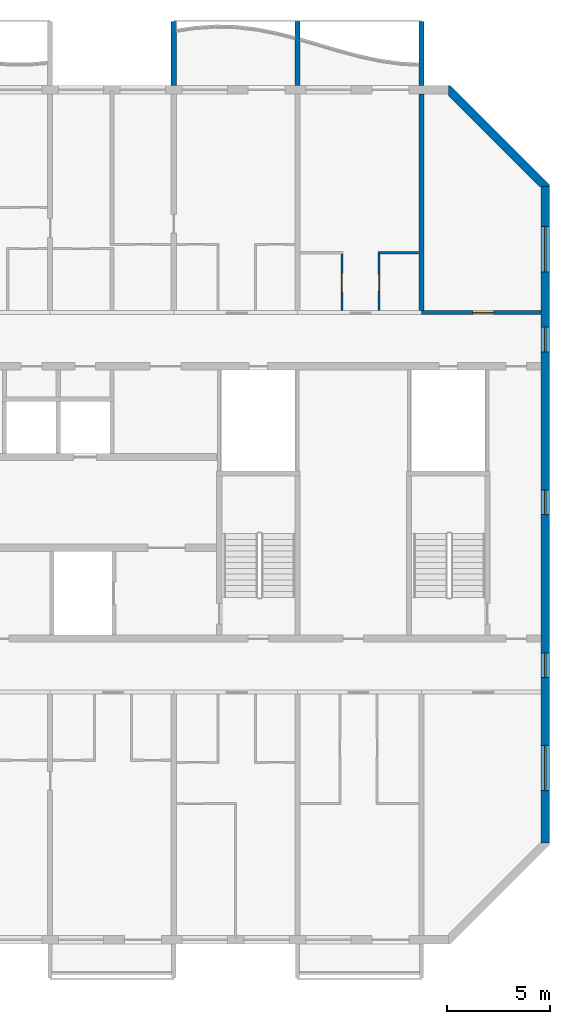
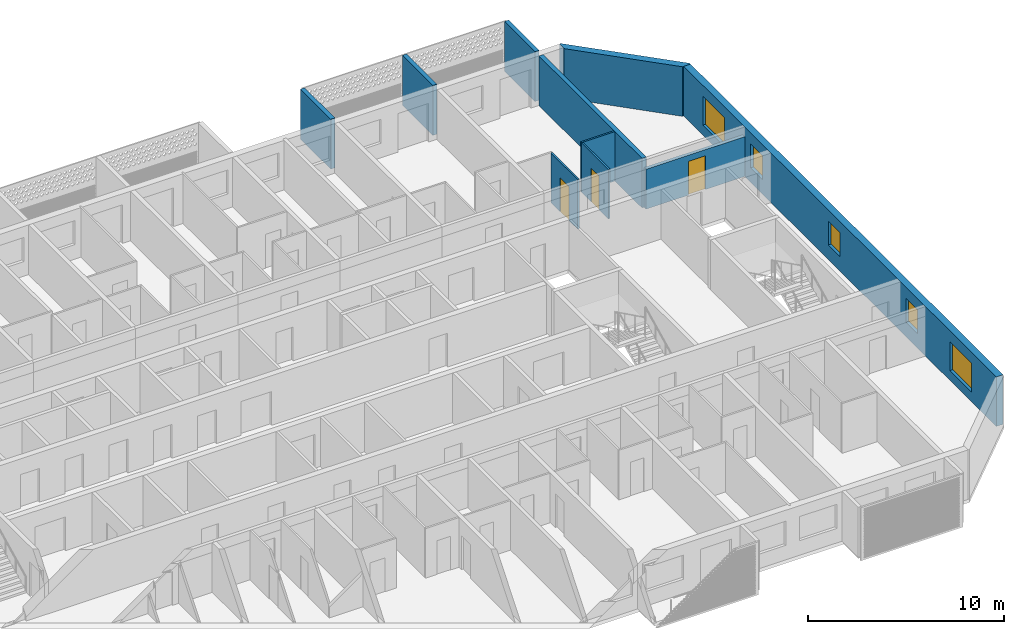
# One storey, part 11 of 27: 10 walls, 5 windows, 3 doors, 8 openings.
"""IFC4 building model written with IfcOpenShell, lengths in metres."""

import ifcopenshell
import ifcopenshell.guid

model = None  # the IFC model being written
_history = None  # IfcOwnerHistory: only IFC2X3 demands one
_inside = {}  # id of a spatial element -> (the spatial element, [elements in it])
_under = {}  # id of a project, library or spatial element -> (it, [spatial elements below it])
_declared = {}  # id of a project -> (the project, [libraries it declares])
_typed = {}  # id of a type object -> (the type object, [elements of that type])
_made_of = {}  # id of a material, layer set ... -> (it, [elements and type objects made of it])


def new_model(schema):
    """Start an empty IFC model of exactly this schema.

    Asked for "IFC4X3", IfcOpenShell would pick the latest addendum, in which some entities
    have other attributes; the version numbers below select the first issue.
    IFC2X3 requires an IfcOwnerHistory on every rooted entity: one is made here for all.
    """
    global model, _history
    if schema == "IFC4X3":
        model = ifcopenshell.file(schema_version=(4, 3, 0, 0))
    else:
        model = ifcopenshell.file(schema=schema)
    _inside.clear()
    _under.clear()
    _declared.clear()
    _typed.clear()
    _made_of.clear()
    _history = None
    if model.schema == "IFC2X3":
        org = make("IfcOrganization", Name="unknown")
        user = make(
            "IfcPersonAndOrganization",
            ThePerson=make("IfcPerson", FamilyName="unknown"),
            TheOrganization=org,
        )
        app = make(
            "IfcApplication",
            ApplicationDeveloper=org,
            Version="unknown",
            ApplicationFullName="unknown",
            ApplicationIdentifier="unknown",
        )
        _history = make(
            "IfcOwnerHistory",
            OwningUser=user,
            OwningApplication=app,
            ChangeAction="ADDED",
            CreationDate=0,
        )
    return model


def make(cls, **values):
    """One entity of the class cls with the attributes given. An attribute that is None is left unset."""
    return model.create_entity(
        cls, **{name: value for name, value in values.items() if value is not None}
    )


def rooted(cls, **values):
    """An entity with a GlobalId (a new one), such as an element, a storey or a relation."""
    return make(cls, GlobalId=ifcopenshell.guid.new(), OwnerHistory=_history, **values)


def si_unit(unit_type, name, prefix=None):
    """IfcSIUnit, for example si_unit("LENGTHUNIT", "METRE", prefix="MILLI")."""
    return make("IfcSIUnit", UnitType=unit_type, Prefix=prefix, Name=name)


def assignment(units):
    """IfcUnitAssignment: the units of a project."""
    return None if units is None else make("IfcUnitAssignment", Units=units)


def point(xyz):
    """IfcCartesianPoint."""
    return None if xyz is None else make("IfcCartesianPoint", Coordinates=xyz)


def direction(xyz):
    """IfcDirection."""
    return None if xyz is None else make("IfcDirection", DirectionRatios=xyz)


def frame(location, z_axis=None, x_axis=None):
    """IfcAxis2Placement3D, a coordinate frame: its origin and axes. An axis left out is left unset."""
    return make(
        "IfcAxis2Placement3D",
        Location=point(location),
        Axis=direction(z_axis),
        RefDirection=direction(x_axis),
    )


def frame_2d(location, x_axis=None):
    """IfcAxis2Placement2D, a coordinate frame in the plane: its origin and x axis."""
    return make(
        "IfcAxis2Placement2D", Location=point(location), RefDirection=direction(x_axis)
    )


def origin():
    """The frame at (0, 0, 0) with its axes left unset."""
    return frame((0.0, 0.0, 0.0))


def place(relative_to, where):
    """IfcLocalPlacement: puts the frame where relative to a parent placement (None: the world)."""
    return make(
        "IfcLocalPlacement", PlacementRelTo=relative_to, RelativePlacement=where
    )


def context(
    kind, dimensions, precision=None, world=None, true_north=None, identifier=None
):
    """IfcGeometricRepresentationContext, for example the 3D "Model" context."""
    return make(
        "IfcGeometricRepresentationContext",
        ContextIdentifier=identifier,
        ContextType=kind,
        CoordinateSpaceDimension=dimensions,
        Precision=precision,
        WorldCoordinateSystem=world,
        TrueNorth=true_north,
    )


def subcontext(parent, identifier, kind, view, scale=None):
    """IfcGeometricRepresentationSubContext, for example "Body" below "Model"."""
    return make(
        "IfcGeometricRepresentationSubContext",
        ContextIdentifier=identifier,
        ContextType=kind,
        ParentContext=parent,
        TargetScale=scale,
        TargetView=view,
    )


def project(units=None, contexts=None):
    """IfcProject with its units and contexts."""
    return rooted(
        "IfcProject",
        Name="project",
        RepresentationContexts=contexts,
        UnitsInContext=assignment(units),
    )


def spatial(cls, under=None, at=None, **own):
    """A site, building, storey or space (cls), placed at a placement, below another one or the project."""
    s = rooted(cls, ObjectPlacement=at, **own)
    if under is not None:
        _under.setdefault(under.id(), (under, []))[1].append(s)
    return s


def polyline(points):
    """IfcPolyline through the points."""
    return make("IfcPolyline", Points=[point(p) for p in points])


def profile(cls, at=None, kind="AREA", **sizes):
    """A parametric profile (cls). Its sizes go by their IFC names, for example OverallWidth=200.0."""
    return make(cls, ProfileType=kind, Position=at, **sizes)


def rectangle(**sizes):
    """IfcRectangleProfileDef."""
    return profile("IfcRectangleProfileDef", **sizes)


def outline(outer, holes=None, kind="AREA"):
    """IfcArbitraryClosedProfileDef: a profile drawn as a closed curve; with holes, ...WithVoids."""
    if holes is None:
        return make("IfcArbitraryClosedProfileDef", ProfileType=kind, OuterCurve=outer)
    return make(
        "IfcArbitraryProfileDefWithVoids",
        ProfileType=kind,
        OuterCurve=outer,
        InnerCurves=holes,
    )


def extrude(swept, where, along, depth):
    """IfcExtrudedAreaSolid: the profile swept, set in the frame where, extruded along a direction by depth."""
    return make(
        "IfcExtrudedAreaSolid",
        SweptArea=swept,
        Position=where,
        ExtrudedDirection=direction(along),
        Depth=depth,
    )


def shape(context_of_items, identifier, shape_type, items):
    """IfcShapeRepresentation: the items that make up one representation, for example the "Body"."""
    return make(
        "IfcShapeRepresentation",
        ContextOfItems=context_of_items,
        RepresentationIdentifier=identifier,
        RepresentationType=shape_type,
        Items=items,
    )


def source(mapping_origin, context_of_items, identifier, shape_type, items):
    """IfcRepresentationMap: a shape defined once, which mapped items show again and again."""
    return make(
        "IfcRepresentationMap",
        MappingOrigin=mapping_origin,
        MappedRepresentation=shape(context_of_items, identifier, shape_type, items),
    )


def transform(
    local_origin,
    x_axis=None,
    y_axis=None,
    z_axis=None,
    scale=None,
    scale2=None,
    scale3=None,
    uniform=True,
):
    """IfcCartesianTransformationOperator3D, or its non-uniform kind. x_axis, y_axis, z_axis: its Axis1, 2, 3."""
    if uniform:
        return make(
            "IfcCartesianTransformationOperator3D",
            Axis1=direction(x_axis),
            Axis2=direction(y_axis),
            LocalOrigin=point(local_origin),
            Scale=scale,
            Axis3=direction(z_axis),
        )
    return make(
        "IfcCartesianTransformationOperator3DnonUniform",
        Axis1=direction(x_axis),
        Axis2=direction(y_axis),
        LocalOrigin=point(local_origin),
        Scale=scale,
        Axis3=direction(z_axis),
        Scale2=scale2,
        Scale3=scale3,
    )


def mapped(mapping_source, mapping_target):
    """IfcMappedItem: shows the shape of a source again, moved by a transform."""
    return make(
        "IfcMappedItem", MappingSource=mapping_source, MappingTarget=mapping_target
    )


def material(Name=None, Category=None):
    """IfcMaterial."""
    return make("IfcMaterial", Name=Name, Category=Category)


def layer(
    of_material, thickness, ventilated=None, Name=None, Category=None, Priority=None
):
    """IfcMaterialLayer: one layer of a wall or slab, of a material (None: an air gap)."""
    return make(
        "IfcMaterialLayer",
        Material=of_material,
        LayerThickness=thickness,
        IsVentilated=ventilated,
        Name=Name,
        Category=Category,
        Priority=Priority,
    )


def layer_set(layers, Name=None):
    """IfcMaterialLayerSet."""
    return make("IfcMaterialLayerSet", MaterialLayers=layers, LayerSetName=Name)


def made_of(thing, what):
    """Note that an element or type object is made of a material, layer set ...; save() writes the relation."""
    if what is not None:
        _made_of.setdefault(what.id(), (what, []))[1].append(thing)
    return thing


def type_object(cls, material=None, **own):
    """A type object (cls), such as IfcWallType, which elements share."""
    return made_of(rooted(cls, **own), material)


def element(
    cls,
    number,
    at=None,
    inside=None,
    cuts=None,
    type_object=None,
    material=None,
    context=None,
    identifier="Body",
    shape_type=None,
    held_by="IfcProductDefinitionShape",
    body=None,
    shapes=None,
    **own,
):
    """One element of the class cls, such as IfcWall. Its Tag is "e" and its number.

    at: its placement. inside: the storey or other place that contains it. cuts: it is an
    opening in that element (IfcRelVoidsElement). A single representation is given by context,
    identifier, shape_type and body (its items); several are given by shapes. held_by: the class
    of the entity that holds the representations. save() writes the other relations.
    """
    e = rooted(cls, Tag="e%d" % number, ObjectPlacement=at, **own)
    if body is not None:
        shapes = [shape(context, identifier, shape_type, body)]
    if shapes is not None:
        e.Representation = make(held_by, Representations=shapes)
    if inside is not None:
        _inside.setdefault(inside.id(), (inside, []))[1].append(e)
    if cuts is not None:
        rooted(
            "IfcRelVoidsElement", RelatingBuildingElement=cuts, RelatedOpeningElement=e
        )
    if type_object is not None:
        _typed.setdefault(type_object.id(), (type_object, []))[1].append(e)
    return made_of(e, material)


def fill(opening, filler):
    """IfcRelFillsElement: the door or window that sits in an opening."""
    return rooted(
        "IfcRelFillsElement",
        RelatingOpeningElement=opening,
        RelatedBuildingElement=filler,
    )


def aggregate(whole, parts):
    """IfcRelAggregates: a whole, such as a stair, and the parts it consists of."""
    return rooted("IfcRelAggregates", RelatingObject=whole, RelatedObjects=parts)


def save(model, path):
    """Write the relations noted so far, then the file.

    IfcRelAggregates (storeys below a building ...), IfcRelContainedInSpatialStructure (elements
    in a storey), IfcRelDefinesByType, IfcRelAssociatesMaterial and IfcRelDeclares: one each for
    every whole, place, type object, material and project.
    """
    for whole, parts in _under.values():
        aggregate(whole, parts)
    for where, things in _inside.values():
        rooted(
            "IfcRelContainedInSpatialStructure",
            RelatedElements=things,
            RelatingStructure=where,
        )
    for kind, things in _typed.values():
        rooted("IfcRelDefinesByType", RelatedObjects=things, RelatingType=kind)
    for what, things in _made_of.values():
        rooted("IfcRelAssociatesMaterial", RelatedObjects=things, RelatingMaterial=what)
    for by, libraries in _declared.values():
        rooted("IfcRelDeclares", RelatingContext=by, RelatedDefinitions=libraries)
    model.write(path)


model = new_model("IFC4")

# Units and contexts
model_context = context("Model", 3, precision=1e-05, world=origin(), true_north=direction((0.0, 1.0)))
body_context = subcontext(model_context, "Body", "Model", "MODEL_VIEW")
ifc_project = project(units=[si_unit("LENGTHUNIT", "METRE"), si_unit("AREAUNIT", "SQUARE_METRE"), si_unit("VOLUMEUNIT", "CUBIC_METRE"), si_unit("PLANEANGLEUNIT", "RADIAN"), si_unit("MASSUNIT", "GRAM", prefix="KILO")], contexts=[model_context])

# Site, building, storey
site_placement = place(None, origin())
site = spatial("IfcSite", under=ifc_project, at=site_placement, CompositionType="ELEMENT")
building_placement = place(site_placement, origin())
building = spatial("IfcBuilding", under=site, at=building_placement, Name="Poui Terraces", CompositionType="ELEMENT")
storey_placement = place(building_placement, frame((0.0, 0.0, 251.10009765625)))
storey = spatial("IfcBuildingStorey", under=building, at=storey_placement, Name="L70", CompositionType="ELEMENT", Elevation=251.10009765625)

# Wall, opening, door
ifc_material_1 = material(Name="Concrete 50 MPa", Category="concrete")
ifc_layer_1 = layer(ifc_material_1, 0.199951171875)
ifc_layer_set_1 = layer_set([ifc_layer_1], Name="Concrete 50 MPa")
wall_type_1 = type_object("IfcWallType", Name="CORRIDOR WALL 200 50MPa", PredefinedType="SHEAR", material=ifc_layer_set_1)
wall_1_placement = place(storey_placement, frame((78.0, 30.39990234375, 0.0), z_axis=(0.0, 0.0, 1.0), x_axis=(1.0, 0.0, 0.0)))
wall_1 = element("IfcWall", 1, at=wall_1_placement, inside=storey, type_object=wall_type_1, Name="CORRIDOR WALL LINE E BAY 11", PredefinedType="SHEAR", context=body_context, shape_type="SweptSolid", body=[
    extrude(rectangle(XDim=5.800048828125, YDim=0.199951171875, at=frame_2d((2.89990234375, 0.0))), origin(), (0.0, 0.0, 1.0), 2.47998046875),
])
opening_1_placement = place(wall_1_placement, frame((2.5, 0.0, 0.0)))
opening_1 = element("IfcOpeningElement", 2, at=opening_1_placement, cuts=wall_1, Name="Opening D100", PredefinedType="OPENING", context=body_context, shape_type="SweptSolid", body=[
    extrude(rectangle(XDim=1.0, YDim=2.10009765625, at=frame_2d((0.5, 1.050048828125))), frame((0.0, 0.10986328125, 0.0), z_axis=(0.0, -1.0, 0.0), x_axis=(1.0, 0.0, 0.0)), (0.0, 0.0, 1.0), 0.219970703125),
])
ifc_material_2 = material(Name="Solid core timber door", Category="wood")
door_type_1 = type_object("IfcDoorType", Name="ACCESSIBLE INTERNAL DOOR 1000 X 2100", OperationType="NOTDEFINED", PredefinedType="DOOR", material=ifc_material_2)
door_1_placement = place(opening_1_placement, origin())
door_1 = element("IfcDoor", 3, at=door_1_placement, inside=storey, type_object=door_type_1, Name="ACCESSIBLE INTERNAL DOOR 060", OperationType="SINGLE_SWING_LEFT", OverallHeight=2.10009765625, OverallWidth=1.0, PredefinedType="DOOR", context=body_context, shape_type="SweptSolid", body=[
    extrude(rectangle(XDim=1.0, YDim=2.10009765625, at=frame_2d((0.5, 1.050048828125))), frame((0.0, 0.02490234375, 0.0), z_axis=(0.0, -1.0, 0.0), x_axis=(1.0, 0.0, 0.0)), (0.0, 0.0, 1.0), 0.050048828125),
])
fill(opening_1, door_1)

# Wall
ifc_layer_2 = layer(ifc_material_1, 0.25)
ifc_layer_set_2 = layer_set([ifc_layer_2], Name="Concrete 50 MPa")
wall_type_2 = type_object("IfcWallType", Name="CROSS WALL 250 50MPa", PredefinedType="SHEAR", material=ifc_layer_set_2)
wall_2_placement = place(storey_placement, frame((78.0, 30.5, 0.0), z_axis=(0.0, 0.0, 1.0), x_axis=(0.0, 1.0, 0.0)))
element("IfcWall", 4, at=wall_2_placement, inside=storey, type_object=wall_type_2, Name="CROSS WALL LINE 14 NORTH", PredefinedType="SHEAR", context=body_context, shape_type="SweptSolid", body=[
    extrude(rectangle(XDim=10.5, YDim=0.25, at=frame_2d((5.25, 0.0))), origin(), (0.0, 0.0, 1.0), 3.079833984375),
])

# Wall, openings, windows
ifc_layer_3 = layer(ifc_material_1, 0.39990234375)
ifc_layer_set_3 = layer_set([ifc_layer_3], Name="Concrete 50 MPa")
wall_type_3 = type_object("IfcWallType", Name="END WALL 400 50MPa", PredefinedType="SHEAR", material=ifc_layer_set_3)
wall_3_placement = place(storey_placement, frame((84.0, 4.682861328125, 0.0), z_axis=(0.0, 0.0, 1.0), x_axis=(0.0, 1.0, 0.0)))
wall_3 = element("IfcWall", 5, at=wall_3_placement, inside=storey, type_object=wall_type_3, Name="END WALL EAST", PredefinedType="SHEAR", context=body_context, shape_type="SweptSolid", body=[
    extrude(rectangle(XDim=31.834228515625, YDim=0.39990234375, at=frame_2d((15.9169921875, 0.0))), origin(), (0.0, 0.0, 1.0), 3.079833984375),
])
opening_2_placement = place(wall_3_placement, frame((23.817138671875, 0.0, 0.89990234375)))
opening_2 = element("IfcOpeningElement", 6, at=opening_2_placement, cuts=wall_3, Name="Opening W2", PredefinedType="OPENING", context=body_context, shape_type="SweptSolid", body=[
    extrude(rectangle(XDim=1.199951171875, YDim=1.5, at=frame_2d((0.60009765625, 0.75))), frame((0.0, 0.2099609375, 0.0), z_axis=(0.0, -1.0, 0.0), x_axis=(1.0, 0.0, 0.0)), (0.0, 0.0, 1.0), 0.419921875),
])
opening_3_placement = place(wall_3_placement, frame((8.01708984375, 0.0, 0.89990234375)))
opening_3 = element("IfcOpeningElement", 7, at=opening_3_placement, cuts=wall_3, Name="Opening W2", PredefinedType="OPENING", context=body_context, shape_type="SweptSolid", body=[
    extrude(rectangle(XDim=1.199951171875, YDim=1.5, at=frame_2d((0.60009765625, 0.75))), frame((0.0, 0.2099609375, 0.0), z_axis=(0.0, -1.0, 0.0), x_axis=(1.0, 0.0, 0.0)), (0.0, 0.0, 1.0), 0.419921875),
])
opening_4_placement = place(wall_3_placement, frame((27.693603515625, 0.0, 0.60009765625)))
opening_4 = element("IfcOpeningElement", 8, at=opening_4_placement, cuts=wall_3, Name="Opening W3", PredefinedType="OPENING", context=body_context, shape_type="SweptSolid", body=[
    extrude(rectangle(XDim=2.199951171875, YDim=1.800048828125, at=frame_2d((1.10009765625, 0.89990234375))), frame((0.0, 0.2099609375, 0.0), z_axis=(0.0, -1.0, 0.0), x_axis=(1.0, 0.0, 0.0)), (0.0, 0.0, 1.0), 0.419921875),
])
opening_5_placement = place(wall_3_placement, frame((2.541015625, 0.0, 0.60009765625)))
opening_5 = element("IfcOpeningElement", 9, at=opening_5_placement, cuts=wall_3, Name="Opening W3", PredefinedType="OPENING", context=body_context, shape_type="SweptSolid", body=[
    extrude(rectangle(XDim=2.199951171875, YDim=1.800048828125, at=frame_2d((1.10009765625, 0.89990234375))), frame((0.0, 0.2099609375, 0.0), z_axis=(0.0, -1.0, 0.0), x_axis=(1.0, 0.0, 0.0)), (0.0, 0.0, 1.0), 0.419921875),
])
opening_6_placement = place(wall_3_placement, frame((15.917236328125, 0.0, 0.89990234375)))
opening_6 = element("IfcOpeningElement", 10, at=opening_6_placement, cuts=wall_3, Name="Opening W2", PredefinedType="OPENING", context=body_context, shape_type="SweptSolid", body=[
    extrude(rectangle(XDim=1.199951171875, YDim=1.5, at=frame_2d((0.60009765625, 0.75))), frame((0.0, 0.2099609375, 0.0), z_axis=(0.0, -1.0, 0.0), x_axis=(1.0, 0.0, 0.0)), (0.0, 0.0, 1.0), 0.419921875),
])
ifc_material_3 = material(Name="Clear glass in aluminium frame", Category="aluminium")
window_type_1 = type_object("IfcWindowType", Name="WINDOW 1200X1500", PartitioningType="SINGLE_PANEL", PredefinedType="WINDOW", material=ifc_material_3)
window_1_placement = place(opening_2_placement, origin())
window_1 = element("IfcWindow", 11, at=window_1_placement, inside=storey, type_object=window_type_1, Name="W2 WINDOW", OverallHeight=1.5, OverallWidth=1.199951171875, PartitioningType="SINGLE_PANEL", PredefinedType="WINDOW", context=body_context, shape_type="SweptSolid", body=[
    extrude(rectangle(XDim=1.199951171875, YDim=1.5, at=frame_2d((0.60009765625, 0.75))), frame((0.0, 0.030029296875, 0.0), z_axis=(0.0, -1.0, 0.0), x_axis=(1.0, 0.0, 0.0)), (0.0, 0.0, 1.0), 0.06005859375),
])
fill(opening_2, window_1)
window_2_placement = place(opening_3_placement, origin())
window_2 = element("IfcWindow", 12, at=window_2_placement, inside=storey, type_object=window_type_1, Name="W2 WINDOW", OverallHeight=1.5, OverallWidth=1.199951171875, PartitioningType="SINGLE_PANEL", PredefinedType="WINDOW", context=body_context, shape_type="SweptSolid", body=[
    extrude(rectangle(XDim=1.199951171875, YDim=1.5, at=frame_2d((0.60009765625, 0.75))), frame((0.0, 0.030029296875, 0.0), z_axis=(0.0, -1.0, 0.0), x_axis=(1.0, 0.0, 0.0)), (0.0, 0.0, 1.0), 0.06005859375),
])
fill(opening_3, window_2)
window_3_placement = place(opening_6_placement, origin())
window_3 = element("IfcWindow", 13, at=window_3_placement, inside=storey, type_object=window_type_1, Name="W2 WINDOW", OverallHeight=1.5, OverallWidth=1.199951171875, PartitioningType="SINGLE_PANEL", PredefinedType="WINDOW", context=body_context, shape_type="SweptSolid", body=[
    extrude(rectangle(XDim=1.199951171875, YDim=1.5, at=frame_2d((0.60009765625, 0.75))), frame((0.0, 0.030029296875, 0.0), z_axis=(0.0, -1.0, 0.0), x_axis=(1.0, 0.0, 0.0)), (0.0, 0.0, 1.0), 0.06005859375),
])
fill(opening_6, window_3)
window_type_2 = type_object("IfcWindowType", Name="WINDOW 2200X1800", PartitioningType="DOUBLE_PANEL_HORIZONTAL", PredefinedType="WINDOW", material=ifc_material_3)
window_4_placement = place(opening_4_placement, origin())
window_4 = element("IfcWindow", 14, at=window_4_placement, inside=storey, type_object=window_type_2, Name="W3 WINDOW", OverallHeight=1.800048828125, OverallWidth=2.199951171875, PartitioningType="DOUBLE_PANEL_HORIZONTAL", PredefinedType="WINDOW", context=body_context, shape_type="SweptSolid", body=[
    extrude(rectangle(XDim=2.199951171875, YDim=1.800048828125, at=frame_2d((1.10009765625, 0.89990234375))), frame((0.0, 0.030029296875, 0.0), z_axis=(0.0, -1.0, 0.0), x_axis=(1.0, 0.0, 0.0)), (0.0, 0.0, 1.0), 0.06005859375),
])
fill(opening_4, window_4)
window_5_placement = place(opening_5_placement, origin())
window_5 = element("IfcWindow", 15, at=window_5_placement, inside=storey, type_object=window_type_2, Name="W3 WINDOW", OverallHeight=1.800048828125, OverallWidth=2.199951171875, PartitioningType="DOUBLE_PANEL_HORIZONTAL", PredefinedType="WINDOW", context=body_context, shape_type="SweptSolid", body=[
    extrude(rectangle(XDim=2.199951171875, YDim=1.800048828125, at=frame_2d((1.10009765625, 0.89990234375))), frame((0.0, 0.030029296875, 0.0), z_axis=(0.0, -1.0, 0.0), x_axis=(1.0, 0.0, 0.0)), (0.0, 0.0, 1.0), 0.06005859375),
])
fill(opening_5, window_5)

# Wall
ifc_material_4 = material(Name="Plasterboard partition")
ifc_layer_4 = layer(ifc_material_4, 0.10009765625)
ifc_layer_set_4 = layer_set([ifc_layer_4], Name="Plasterboard partition")
wall_type_4 = type_object("IfcWallType", Name="FLAT PARTITION 100", PredefinedType="PARTITIONING", material=ifc_layer_set_4)
wall_4_placement = place(storey_placement, frame((75.89990234375, 33.300048828125, 0.0), z_axis=(0.0, 0.0, 1.0), x_axis=(1.0, 0.0, 0.0)))
element("IfcWall", 16, at=wall_4_placement, inside=storey, type_object=wall_type_4, Name="FLAT PARTITION 100", PredefinedType="PARTITIONING", context=body_context, shape_type="SweptSolid", body=[
    extrude(rectangle(XDim=1.965087890625, YDim=0.10009765625, at=frame_2d((0.982421875, 0.0))), origin(), (0.0, 0.0, 1.0), 3.079833984375),
])

# Wall, opening, door
wall_5_placement = place(storey_placement, frame((74.14990234375, 30.510009765625, 0.0), z_axis=(0.0, 0.0, 1.0), x_axis=(0.0, 1.0, 0.0)))
wall_5 = element("IfcWall", 17, at=wall_5_placement, inside=storey, type_object=wall_type_4, Name="FLAT PARTITION 100", PredefinedType="PARTITIONING", context=body_context, shape_type="SweptSolid", body=[
    extrude(rectangle(XDim=2.739990234375, YDim=0.10009765625, at=frame_2d((1.3701171875, 0.0))), origin(), (0.0, 0.0, 1.0), 3.079833984375),
])
opening_7_placement = place(wall_5_placement, frame((0.889892578125, 0.0, 0.0)))
opening_7 = element("IfcOpeningElement", 18, at=opening_7_placement, cuts=wall_5, Name="Opening D90", PredefinedType="OPENING", context=body_context, shape_type="SweptSolid", body=[
    extrude(rectangle(XDim=0.89990234375, YDim=2.10009765625, at=frame_2d((0.449951171875, 1.050048828125))), frame((0.0, 0.06005859375, 0.0), z_axis=(0.0, -1.0, 0.0), x_axis=(1.0, 0.0, 0.0)), (0.0, 0.0, 1.0), 0.1201171875),
])
door_type_2 = type_object("IfcDoorType", Name="INTERNAL DOOR 900 X 2100", OperationType="NOTDEFINED", PredefinedType="DOOR", material=ifc_material_2)
door_2_placement = place(opening_7_placement, origin())
door_2 = element("IfcDoor", 19, at=door_2_placement, inside=storey, type_object=door_type_2, Name="INTERNAL DOOR 057", OperationType="SINGLE_SWING_RIGHT", OverallHeight=2.10009765625, OverallWidth=0.89990234375, PredefinedType="DOOR", context=body_context, shape_type="SweptSolid", body=[
    extrude(rectangle(XDim=0.89990234375, YDim=2.10009765625, at=frame_2d((0.449951171875, 1.050048828125))), frame((0.0, 0.02490234375, 0.0), z_axis=(0.0, -1.0, 0.0), x_axis=(1.0, 0.0, 0.0)), (0.0, 0.0, 1.0), 0.050048828125),
])
fill(opening_7, door_2)

wall_6_placement = place(storey_placement, frame((75.949951171875, 30.510009765625, 0.0), z_axis=(0.0, 0.0, 1.0), x_axis=(0.0, 1.0, 0.0)))
wall_6 = element("IfcWall", 20, at=wall_6_placement, inside=storey, type_object=wall_type_4, Name="FLAT PARTITION 100", PredefinedType="PARTITIONING", context=body_context, shape_type="SweptSolid", body=[
    extrude(rectangle(XDim=2.739990234375, YDim=0.10009765625, at=frame_2d((1.3701171875, 0.0))), origin(), (0.0, 0.0, 1.0), 3.079833984375),
])
opening_8_placement = place(wall_6_placement, frame((0.93994140625, 0.0, 0.0)))
opening_8 = element("IfcOpeningElement", 21, at=opening_8_placement, cuts=wall_6, Name="Opening D80", PredefinedType="OPENING", context=body_context, shape_type="SweptSolid", body=[
    extrude(rectangle(XDim=0.800048828125, YDim=2.10009765625, at=frame_2d((0.39990234375, 1.050048828125))), frame((0.0, 0.06005859375, 0.0), z_axis=(0.0, -1.0, 0.0), x_axis=(1.0, 0.0, 0.0)), (0.0, 0.0, 1.0), 0.1201171875),
])
door_type_3 = type_object("IfcDoorType", Name="BATHROOM, LAUNDRY AND STORE DOOR 800 X 2100", OperationType="NOTDEFINED", PredefinedType="DOOR", material=ifc_material_2)
door_3_placement = place(opening_8_placement, frame((0.800048828125, 0.0, 0.0), z_axis=(0.0, 0.0, 1.0), x_axis=(-1.0, 0.0, 0.0)))
door_3 = element("IfcDoor", 22, at=door_3_placement, inside=storey, type_object=door_type_3, Name="BATHROOM, LAUNDRY AND STORE DOOR 059", OperationType="SINGLE_SWING_RIGHT", OverallHeight=2.10009765625, OverallWidth=0.800048828125, PredefinedType="DOOR", context=body_context, shape_type="SweptSolid", body=[
    extrude(rectangle(XDim=0.800048828125, YDim=2.10009765625, at=frame_2d((0.39990234375, 1.050048828125))), frame((0.0, 0.02490234375, 0.0), z_axis=(0.0, -1.0, 0.0), x_axis=(1.0, 0.0, 0.0)), (0.0, 0.0, 1.0), 0.050048828125),
])
fill(opening_8, door_3)

# Walls
ifc_material_5 = material(Name="Precast concrete 40 MPa", Category="concrete")
ifc_layer_5 = layer(ifc_material_5, 0.39990234375)
ifc_layer_set_5 = layer_set([ifc_layer_5], Name="Precast concrete 40 MPa")
wall_type_5 = type_object("IfcWallType", Name="TERRACOTTA CLAD CHAMFER WALL 400", PredefinedType="STANDARD", material=ifc_layer_set_5)
wall_7_placement = place(storey_placement, origin())
element("IfcWall", 23, at=wall_7_placement, inside=storey, type_object=wall_type_5, Name="CHAMFER WALL CH03", PredefinedType="STANDARD", context=body_context, shape_type="SweptSolid", body=[
    extrude(outline(polyline([(84.199951171875, 36.51708984375), (84.199951171875, 36.60009765625), (79.39990234375, 41.39990234375), (79.317138671875, 41.39990234375), (79.317138671875, 40.917236328125), (83.71728515625, 36.51708984375), (84.199951171875, 36.51708984375)])), origin(), (0.0, 0.0, 1.0), 3.079833984375),
])
ifc_layer_6 = layer(ifc_material_5, 0.25)
ifc_layer_set_6 = layer_set([ifc_layer_6], Name="Precast concrete 40 MPa")
wall_type_6 = type_object("IfcWallType", Name="BALCONY FIN 250", PredefinedType="STANDARD", material=ifc_layer_set_6)
shared_shape = source(origin(), body_context, "Body", "SweptSolid", [
    extrude(outline(polyline([(0.0, 0.0), (0.25, 0.0), (0.25, 3.10009765625), (0.0, 3.10009765625), (0.0, 0.0)])), origin(), (0.0, 0.0, 1.0), 3.099853515625),
])
for number, where, name in (
    (24, (65.875, 41.39990234375, 0.0), "BALCONY FIN"),
    (25, (71.875, 41.39990234375, 0.0), "BALCONY FIN"),
    (26, (77.875, 41.39990234375, 0.0), "BALCONY FIN"),
):
    element("IfcWall", number, at=place(storey_placement, frame(where)), inside=storey, type_object=wall_type_6, Name=name, PredefinedType="STANDARD", context=body_context, shape_type="MappedRepresentation", body=[
        mapped(shared_shape, transform((0.0, 0.0, 0.0))),
    ])

save(model, "model.ifc")
